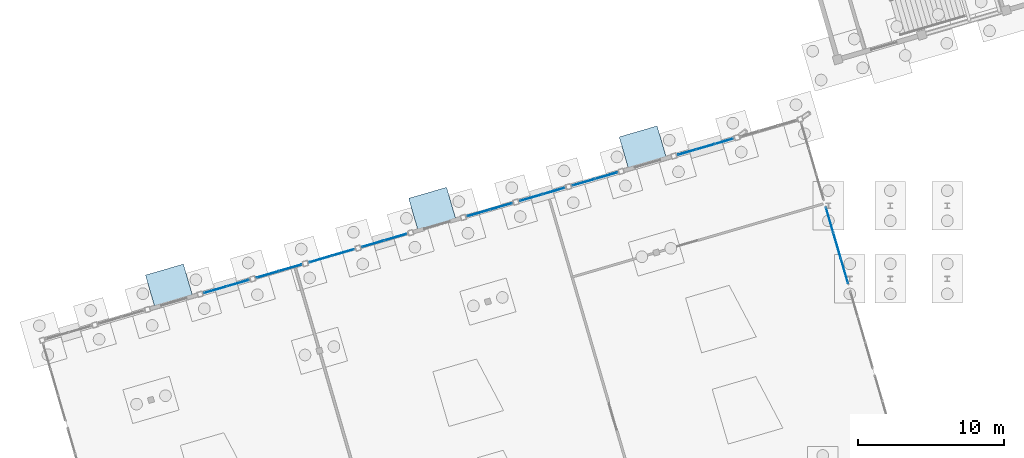
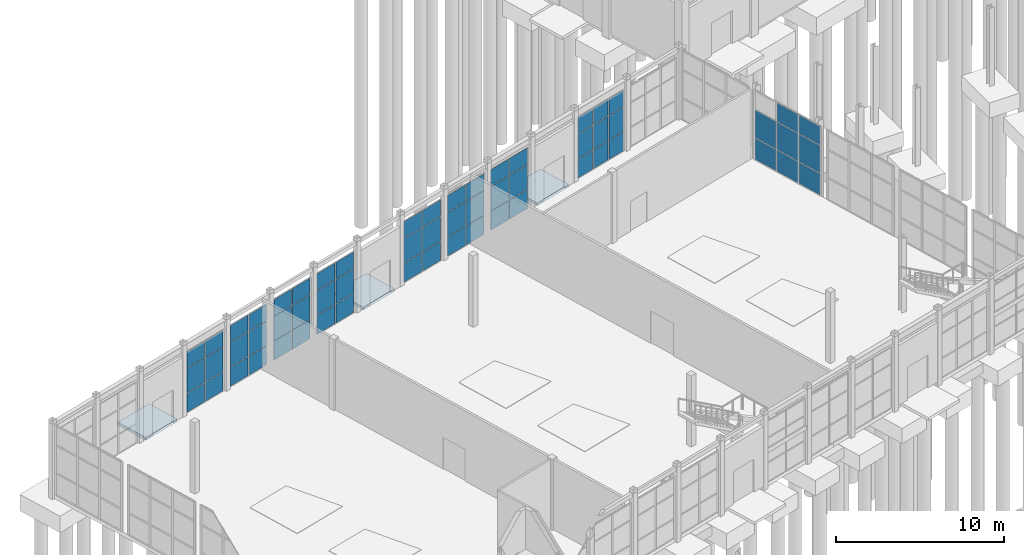
# One storey, part 66 of 90: 59 plates, 3 slabs, 9 elements without a shape of their own.
"""IFC4 building model written with IfcOpenShell, lengths in metres."""

import ifcopenshell
import ifcopenshell.guid

model = None  # the IFC model being written
_history = None  # IfcOwnerHistory: only IFC2X3 demands one
_inside = {}  # id of a spatial element -> (the spatial element, [elements in it])
_under = {}  # id of a project, library or spatial element -> (it, [spatial elements below it])
_declared = {}  # id of a project -> (the project, [libraries it declares])
_typed = {}  # id of a type object -> (the type object, [elements of that type])
_made_of = {}  # id of a material, layer set ... -> (it, [elements and type objects made of it])


def new_model(schema):
    """Start an empty IFC model of exactly this schema.

    Asked for "IFC4X3", IfcOpenShell would pick the latest addendum, in which some entities
    have other attributes; the version numbers below select the first issue.
    IFC2X3 requires an IfcOwnerHistory on every rooted entity: one is made here for all.
    """
    global model, _history
    if schema == "IFC4X3":
        model = ifcopenshell.file(schema_version=(4, 3, 0, 0))
    else:
        model = ifcopenshell.file(schema=schema)
    _inside.clear()
    _under.clear()
    _declared.clear()
    _typed.clear()
    _made_of.clear()
    _history = None
    if model.schema == "IFC2X3":
        org = make("IfcOrganization", Name="unknown")
        user = make(
            "IfcPersonAndOrganization",
            ThePerson=make("IfcPerson", FamilyName="unknown"),
            TheOrganization=org,
        )
        app = make(
            "IfcApplication",
            ApplicationDeveloper=org,
            Version="unknown",
            ApplicationFullName="unknown",
            ApplicationIdentifier="unknown",
        )
        _history = make(
            "IfcOwnerHistory",
            OwningUser=user,
            OwningApplication=app,
            ChangeAction="ADDED",
            CreationDate=0,
        )
    return model


def make(cls, **values):
    """One entity of the class cls with the attributes given. An attribute that is None is left unset."""
    return model.create_entity(
        cls, **{name: value for name, value in values.items() if value is not None}
    )


def rooted(cls, **values):
    """An entity with a GlobalId (a new one), such as an element, a storey or a relation."""
    return make(cls, GlobalId=ifcopenshell.guid.new(), OwnerHistory=_history, **values)


def si_unit(unit_type, name, prefix=None):
    """IfcSIUnit, for example si_unit("LENGTHUNIT", "METRE", prefix="MILLI")."""
    return make("IfcSIUnit", UnitType=unit_type, Prefix=prefix, Name=name)


def assignment(units):
    """IfcUnitAssignment: the units of a project."""
    return None if units is None else make("IfcUnitAssignment", Units=units)


def point(xyz):
    """IfcCartesianPoint."""
    return None if xyz is None else make("IfcCartesianPoint", Coordinates=xyz)


def direction(xyz):
    """IfcDirection."""
    return None if xyz is None else make("IfcDirection", DirectionRatios=xyz)


def frame(location, z_axis=None, x_axis=None):
    """IfcAxis2Placement3D, a coordinate frame: its origin and axes. An axis left out is left unset."""
    return make(
        "IfcAxis2Placement3D",
        Location=point(location),
        Axis=direction(z_axis),
        RefDirection=direction(x_axis),
    )


def frame_2d(location, x_axis=None):
    """IfcAxis2Placement2D, a coordinate frame in the plane: its origin and x axis."""
    return make(
        "IfcAxis2Placement2D", Location=point(location), RefDirection=direction(x_axis)
    )


def origin():
    """The frame at (0, 0, 0) with its axes left unset."""
    return frame((0.0, 0.0, 0.0))


def origin_2d():
    """The frame at (0, 0) in the plane with its x axis left unset."""
    return frame_2d((0.0, 0.0))


def place(relative_to, where):
    """IfcLocalPlacement: puts the frame where relative to a parent placement (None: the world)."""
    return make(
        "IfcLocalPlacement", PlacementRelTo=relative_to, RelativePlacement=where
    )


def context(
    kind, dimensions, precision=None, world=None, true_north=None, identifier=None
):
    """IfcGeometricRepresentationContext, for example the 3D "Model" context."""
    return make(
        "IfcGeometricRepresentationContext",
        ContextIdentifier=identifier,
        ContextType=kind,
        CoordinateSpaceDimension=dimensions,
        Precision=precision,
        WorldCoordinateSystem=world,
        TrueNorth=true_north,
    )


def subcontext(parent, identifier, kind, view, scale=None):
    """IfcGeometricRepresentationSubContext, for example "Body" below "Model"."""
    return make(
        "IfcGeometricRepresentationSubContext",
        ContextIdentifier=identifier,
        ContextType=kind,
        ParentContext=parent,
        TargetScale=scale,
        TargetView=view,
    )


def project(units=None, contexts=None):
    """IfcProject with its units and contexts."""
    return rooted(
        "IfcProject",
        Name="project",
        RepresentationContexts=contexts,
        UnitsInContext=assignment(units),
    )


def spatial(cls, under=None, at=None, **own):
    """A site, building, storey or space (cls), placed at a placement, below another one or the project."""
    s = rooted(cls, ObjectPlacement=at, **own)
    if under is not None:
        _under.setdefault(under.id(), (under, []))[1].append(s)
    return s


def polyline(points):
    """IfcPolyline through the points."""
    return make("IfcPolyline", Points=[point(p) for p in points])


def profile(cls, at=None, kind="AREA", **sizes):
    """A parametric profile (cls). Its sizes go by their IFC names, for example OverallWidth=200.0."""
    return make(cls, ProfileType=kind, Position=at, **sizes)


def rectangle(**sizes):
    """IfcRectangleProfileDef."""
    return profile("IfcRectangleProfileDef", **sizes)


def outline(outer, holes=None, kind="AREA"):
    """IfcArbitraryClosedProfileDef: a profile drawn as a closed curve; with holes, ...WithVoids."""
    if holes is None:
        return make("IfcArbitraryClosedProfileDef", ProfileType=kind, OuterCurve=outer)
    return make(
        "IfcArbitraryProfileDefWithVoids",
        ProfileType=kind,
        OuterCurve=outer,
        InnerCurves=holes,
    )


def extrude(swept, where, along, depth):
    """IfcExtrudedAreaSolid: the profile swept, set in the frame where, extruded along a direction by depth."""
    return make(
        "IfcExtrudedAreaSolid",
        SweptArea=swept,
        Position=where,
        ExtrudedDirection=direction(along),
        Depth=depth,
    )


def shape(context_of_items, identifier, shape_type, items):
    """IfcShapeRepresentation: the items that make up one representation, for example the "Body"."""
    return make(
        "IfcShapeRepresentation",
        ContextOfItems=context_of_items,
        RepresentationIdentifier=identifier,
        RepresentationType=shape_type,
        Items=items,
    )


def material(Name=None, Category=None):
    """IfcMaterial."""
    return make("IfcMaterial", Name=Name, Category=Category)


def layer(
    of_material, thickness, ventilated=None, Name=None, Category=None, Priority=None
):
    """IfcMaterialLayer: one layer of a wall or slab, of a material (None: an air gap)."""
    return make(
        "IfcMaterialLayer",
        Material=of_material,
        LayerThickness=thickness,
        IsVentilated=ventilated,
        Name=Name,
        Category=Category,
        Priority=Priority,
    )


def layer_set(layers, Name=None):
    """IfcMaterialLayerSet."""
    return make("IfcMaterialLayerSet", MaterialLayers=layers, LayerSetName=Name)


def made_of(thing, what):
    """Note that an element or type object is made of a material, layer set ...; save() writes the relation."""
    if what is not None:
        _made_of.setdefault(what.id(), (what, []))[1].append(thing)
    return thing


def type_object(cls, material=None, **own):
    """A type object (cls), such as IfcWallType, which elements share."""
    return made_of(rooted(cls, **own), material)


def element(
    cls,
    number,
    at=None,
    inside=None,
    cuts=None,
    type_object=None,
    material=None,
    context=None,
    identifier="Body",
    shape_type=None,
    held_by="IfcProductDefinitionShape",
    body=None,
    shapes=None,
    **own,
):
    """One element of the class cls, such as IfcWall. Its Tag is "e" and its number.

    at: its placement. inside: the storey or other place that contains it. cuts: it is an
    opening in that element (IfcRelVoidsElement). A single representation is given by context,
    identifier, shape_type and body (its items); several are given by shapes. held_by: the class
    of the entity that holds the representations. save() writes the other relations.
    """
    e = rooted(cls, Tag="e%d" % number, ObjectPlacement=at, **own)
    if body is not None:
        shapes = [shape(context, identifier, shape_type, body)]
    if shapes is not None:
        e.Representation = make(held_by, Representations=shapes)
    if inside is not None:
        _inside.setdefault(inside.id(), (inside, []))[1].append(e)
    if cuts is not None:
        rooted(
            "IfcRelVoidsElement", RelatingBuildingElement=cuts, RelatedOpeningElement=e
        )
    if type_object is not None:
        _typed.setdefault(type_object.id(), (type_object, []))[1].append(e)
    return made_of(e, material)


def aggregate(whole, parts):
    """IfcRelAggregates: a whole, such as a stair, and the parts it consists of."""
    return rooted("IfcRelAggregates", RelatingObject=whole, RelatedObjects=parts)


def save(model, path):
    """Write the relations noted so far, then the file.

    IfcRelAggregates (storeys below a building ...), IfcRelContainedInSpatialStructure (elements
    in a storey), IfcRelDefinesByType, IfcRelAssociatesMaterial and IfcRelDeclares: one each for
    every whole, place, type object, material and project.
    """
    for whole, parts in _under.values():
        aggregate(whole, parts)
    for where, things in _inside.values():
        rooted(
            "IfcRelContainedInSpatialStructure",
            RelatedElements=things,
            RelatingStructure=where,
        )
    for kind, things in _typed.values():
        rooted("IfcRelDefinesByType", RelatedObjects=things, RelatingType=kind)
    for what, things in _made_of.values():
        rooted("IfcRelAssociatesMaterial", RelatedObjects=things, RelatingMaterial=what)
    for by, libraries in _declared.values():
        rooted("IfcRelDeclares", RelatingContext=by, RelatedDefinitions=libraries)
    model.write(path)


model = new_model("IFC4")

# Units and contexts
model_context = context("Model", 3, precision=1e-05, world=origin(), true_north=direction((0.0, 1.0)))
body_context = subcontext(model_context, "Body", "Model", "MODEL_VIEW")
ifc_project = project(units=[si_unit("LENGTHUNIT", "METRE"), si_unit("AREAUNIT", "SQUARE_METRE"), si_unit("VOLUMEUNIT", "CUBIC_METRE"), si_unit("PLANEANGLEUNIT", "RADIAN"), si_unit("MASSUNIT", "GRAM", prefix="KILO")], contexts=[model_context])

# Site, building, storey
site_placement = place(None, origin())
site = spatial("IfcSite", under=ifc_project, at=site_placement, CompositionType="ELEMENT")
building_placement = place(site_placement, origin())
building = spatial("IfcBuilding", under=site, at=building_placement, Name="Canggui Botanical Conservatory", CompositionType="ELEMENT")
storey_placement = place(building_placement, origin())
storey = spatial("IfcBuildingStorey", under=building, at=storey_placement, Name="L01", CompositionType="ELEMENT", Elevation=0.0)

# Curtain wall, plates
ifc_material_1 = material(Name="Thermally Broken Aluminium", Category="aluminium")
ifc_layer_1 = layer(ifc_material_1, 0.14990234375, Name="Thermally Broken Aluminium", Category="aluminium")
ifc_layer_set_1 = layer_set([ifc_layer_1], Name="Thermally Broken Aluminium")
curtain_wall_type_1 = type_object("IfcCurtainWallType", Name="CW-UNIT-C", PredefinedType="USERDEFINED", material=ifc_layer_set_1)
curtain_wall_1_placement = place(storey_placement, origin())
curtain_wall_1 = element("IfcCurtainWall", 1, at=curtain_wall_1_placement, inside=storey, type_object=curtain_wall_type_1, Name="Facade Curtain Wall CW-CONS-GABLE-N-04", ObjectType="UNITISED CURTAIN WALL", PredefinedType="USERDEFINED")
ifc_material_2 = material(Name="Low-E Insulated Glass", Category="glass")
ifc_layer_2 = layer(ifc_material_2, 0.033935546875, Name="Low-E Insulated Glass", Category="glass")
ifc_layer_set_2 = layer_set([ifc_layer_2], Name="Low-E Insulated Glass")
plate_type_1 = type_object("IfcPlateType", Name="CWP-03", PredefinedType="CURTAIN_PANEL", material=ifc_layer_set_2)
plate_1_placement = place(storey_placement, frame((66.46923828125, 75.534423828125, 0.05517578125), z_axis=(0.0, 0.0, 1.0), x_axis=(-0.279999999995, 0.960000000002, 0.0)))
plate_1 = element("IfcPlate", 2, at=plate_1_placement, type_object=plate_type_1, Name="CW-03 panel 1.1", PredefinedType="CURTAIN_PANEL", context=body_context, shape_type="SweptSolid", body=[
    extrude(rectangle(XDim=1.743408203125, YDim=0.033935546875, at=origin_2d()), origin(), (0.0, 0.0, 1.0), 1.549560546875),
])
plate_2_placement = place(storey_placement, frame((66.46923828125, 75.534423828125, 1.65966796875), z_axis=(0.0, 0.0, 1.0), x_axis=(-0.279999999995, 0.960000000002, 0.0)))
plate_2 = element("IfcPlate", 3, at=plate_2_placement, type_object=plate_type_1, Name="CW-03 panel 1.2", PredefinedType="CURTAIN_PANEL", context=body_context, shape_type="SweptSolid", body=[
    extrude(rectangle(XDim=1.743408203125, YDim=0.033935546875, at=origin_2d()), origin(), (0.0, 0.0, 1.0), 1.985107421875),
])
plate_3_placement = place(storey_placement, frame((66.46923828125, 75.534423828125, 3.69970703125), z_axis=(0.0, 0.0, 1.0), x_axis=(-0.279999999995, 0.960000000002, 0.0)))
plate_3 = element("IfcPlate", 4, at=plate_3_placement, type_object=plate_type_1, Name="CW-03 panel 1.3", PredefinedType="CURTAIN_PANEL", context=body_context, shape_type="SweptSolid", body=[
    extrude(rectangle(XDim=1.743408203125, YDim=0.033935546875, at=origin_2d()), origin(), (0.0, 0.0, 1.0), 1.345458984375),
])
plate_4_placement = place(storey_placement, frame((65.9599609375, 77.280029296875, 0.05517578125), z_axis=(0.0, 0.0, 1.0), x_axis=(-0.279999999995, 0.960000000002, 0.0)))
plate_4 = element("IfcPlate", 5, at=plate_4_placement, type_object=plate_type_1, Name="CW-03 panel 2.1", PredefinedType="CURTAIN_PANEL", context=body_context, shape_type="SweptSolid", body=[
    extrude(rectangle(XDim=1.7734375, YDim=0.033935546875, at=origin_2d()), origin(), (0.0, 0.0, 1.0), 1.549560546875),
])
plate_5_placement = place(storey_placement, frame((65.9599609375, 77.280029296875, 1.65966796875), z_axis=(0.0, 0.0, 1.0), x_axis=(-0.279999999995, 0.960000000002, 0.0)))
plate_5 = element("IfcPlate", 6, at=plate_5_placement, type_object=plate_type_1, Name="CW-03 panel 2.2", PredefinedType="CURTAIN_PANEL", context=body_context, shape_type="SweptSolid", body=[
    extrude(rectangle(XDim=1.7734375, YDim=0.033935546875, at=origin_2d()), origin(), (0.0, 0.0, 1.0), 1.985107421875),
])
plate_6_placement = place(storey_placement, frame((65.9599609375, 77.280029296875, 3.69970703125), z_axis=(0.0, 0.0, 1.0), x_axis=(-0.279999999995, 0.960000000002, 0.0)))
plate_6 = element("IfcPlate", 7, at=plate_6_placement, type_object=plate_type_1, Name="CW-03 panel 2.3", PredefinedType="CURTAIN_PANEL", context=body_context, shape_type="SweptSolid", body=[
    extrude(rectangle(XDim=1.7734375, YDim=0.033935546875, at=origin_2d()), origin(), (0.0, 0.0, 1.0), 1.345458984375),
])
plate_7_placement = place(storey_placement, frame((65.450927734375, 79.025634765625, 0.05517578125), z_axis=(0.0, 0.0, 1.0), x_axis=(-0.279999999995, 0.960000000002, 0.0)))
plate_7 = element("IfcPlate", 8, at=plate_7_placement, type_object=plate_type_1, Name="CW-03 panel 3.1", PredefinedType="CURTAIN_PANEL", context=body_context, shape_type="SweptSolid", body=[
    extrude(rectangle(XDim=1.743408203125, YDim=0.033935546875, at=origin_2d()), origin(), (0.0, 0.0, 1.0), 1.549560546875),
])
plate_8_placement = place(storey_placement, frame((65.450927734375, 79.025634765625, 1.65966796875), z_axis=(0.0, 0.0, 1.0), x_axis=(-0.279999999995, 0.960000000002, 0.0)))
plate_8 = element("IfcPlate", 9, at=plate_8_placement, type_object=plate_type_1, Name="CW-03 panel 3.2", PredefinedType="CURTAIN_PANEL", context=body_context, shape_type="SweptSolid", body=[
    extrude(rectangle(XDim=1.743408203125, YDim=0.033935546875, at=origin_2d()), origin(), (0.0, 0.0, 1.0), 1.985107421875),
])
aggregate(curtain_wall_1, [plate_1, plate_2, plate_3, plate_4, plate_5, plate_6, plate_7, plate_8])

ifc_layer_3 = layer(ifc_material_1, 0.1201171875, Name="Thermally Broken Aluminium", Category="aluminium")
ifc_layer_set_3 = layer_set([ifc_layer_3], Name="Thermally Broken Aluminium")
curtain_wall_type_2 = type_object("IfcCurtainWallType", Name="CW-STICK-B", PredefinedType="USERDEFINED", material=ifc_layer_set_3)
curtain_wall_2_placement = place(storey_placement, origin())
curtain_wall_2 = element("IfcCurtainWall", 10, at=curtain_wall_2_placement, inside=storey, type_object=curtain_wall_type_2, Name="Facade Curtain Wall CW-CONS-L01-V1-04", ObjectType="STICK GLAZED WALL", PredefinedType="USERDEFINED")
ifc_layer_4 = layer(ifc_material_2, 0.0419921875, Name="Low-E Insulated Glass", Category="glass")
ifc_layer_set_4 = layer_set([ifc_layer_4], Name="Low-E Insulated Glass")
plate_type_2 = type_object("IfcPlateType", Name="CWP-05", PredefinedType="CURTAIN_PANEL", material=ifc_layer_set_4)
plate_9_placement = place(storey_placement, frame((23.43310546875, 74.25146484375, 0.044921875), z_axis=(0.0, 0.0, 1.0), x_axis=(0.960000000002, 0.279999999995, 0.0)))
plate_9 = element("IfcPlate", 11, at=plate_9_placement, type_object=plate_type_2, Name="CW-05 panel 1.1", PredefinedType="CURTAIN_PANEL", context=body_context, shape_type="SweptSolid", body=[
    extrude(rectangle(XDim=1.54248046875, YDim=0.0419921875, at=origin_2d()), origin(), (0.0, 0.0, 1.0), 1.37255859375),
])
plate_10_placement = place(storey_placement, frame((23.43310546875, 74.25146484375, 1.462646484375), z_axis=(0.0, 0.0, 1.0), x_axis=(0.960000000002, 0.279999999995, 0.0)))
plate_10 = element("IfcPlate", 12, at=plate_10_placement, type_object=plate_type_2, Name="CW-05 panel 1.2", PredefinedType="CURTAIN_PANEL", context=body_context, shape_type="SweptSolid", body=[
    extrude(rectangle(XDim=1.54248046875, YDim=0.0419921875, at=origin_2d()), origin(), (0.0, 0.0, 1.0), 1.7548828125),
])
plate_11_placement = place(storey_placement, frame((23.43310546875, 74.25146484375, 3.262451171875), z_axis=(0.0, 0.0, 1.0), x_axis=(0.960000000002, 0.279999999995, 0.0)))
plate_11 = element("IfcPlate", 13, at=plate_11_placement, type_object=plate_type_2, Name="CW-05 panel 1.3", PredefinedType="CURTAIN_PANEL", context=body_context, shape_type="SweptSolid", body=[
    extrude(rectangle(XDim=1.54248046875, YDim=0.0419921875, at=origin_2d()), origin(), (0.0, 0.0, 1.0), 1.1923828125),
])
plate_12_placement = place(storey_placement, frame((24.966796875, 74.69873046875, 0.044921875), z_axis=(0.0, 0.0, 1.0), x_axis=(0.960000000002, 0.279999999995, 0.0)))
plate_12 = element("IfcPlate", 14, at=plate_12_placement, type_object=plate_type_2, Name="CW-05 panel 2.1", PredefinedType="CURTAIN_PANEL", context=body_context, shape_type="SweptSolid", body=[
    extrude(rectangle(XDim=1.54248046875, YDim=0.0419921875, at=origin_2d()), origin(), (0.0, 0.0, 1.0), 1.37255859375),
])
plate_13_placement = place(storey_placement, frame((24.966796875, 74.69873046875, 1.462646484375), z_axis=(0.0, 0.0, 1.0), x_axis=(0.960000000002, 0.279999999995, 0.0)))
plate_13 = element("IfcPlate", 15, at=plate_13_placement, type_object=plate_type_2, Name="CW-05 panel 2.2", PredefinedType="CURTAIN_PANEL", context=body_context, shape_type="SweptSolid", body=[
    extrude(rectangle(XDim=1.54248046875, YDim=0.0419921875, at=origin_2d()), origin(), (0.0, 0.0, 1.0), 1.7548828125),
])
plate_14_placement = place(storey_placement, frame((24.966796875, 74.69873046875, 3.262451171875), z_axis=(0.0, 0.0, 1.0), x_axis=(0.960000000002, 0.279999999995, 0.0)))
plate_14 = element("IfcPlate", 16, at=plate_14_placement, type_object=plate_type_2, Name="CW-05 panel 2.3", PredefinedType="CURTAIN_PANEL", context=body_context, shape_type="SweptSolid", body=[
    extrude(rectangle(XDim=1.54248046875, YDim=0.0419921875, at=origin_2d()), origin(), (0.0, 0.0, 1.0), 1.1923828125),
])
aggregate(curtain_wall_2, [plate_9, plate_10, plate_11, plate_12, plate_13, plate_14])

curtain_wall_3_placement = place(storey_placement, origin())
curtain_wall_3 = element("IfcCurtainWall", 17, at=curtain_wall_3_placement, inside=storey, type_object=curtain_wall_type_2, Name="Facade Curtain Wall CW-CONS-L01-V1-05", ObjectType="STICK GLAZED WALL", PredefinedType="USERDEFINED")
plate_15_placement = place(storey_placement, frame((27.033203125, 75.30126953125, 0.044921875), z_axis=(0.0, 0.0, 1.0), x_axis=(0.960000000002, 0.279999999995, 0.0)))
plate_15 = element("IfcPlate", 18, at=plate_15_placement, type_object=plate_type_2, Name="CW-05 panel 1.1", PredefinedType="CURTAIN_PANEL", context=body_context, shape_type="SweptSolid", body=[
    extrude(rectangle(XDim=1.54248046875, YDim=0.0419921875, at=origin_2d()), origin(), (0.0, 0.0, 1.0), 1.37255859375),
])
plate_16_placement = place(storey_placement, frame((27.033203125, 75.30126953125, 1.462646484375), z_axis=(0.0, 0.0, 1.0), x_axis=(0.960000000002, 0.279999999995, 0.0)))
plate_16 = element("IfcPlate", 19, at=plate_16_placement, type_object=plate_type_2, Name="CW-05 panel 1.2", PredefinedType="CURTAIN_PANEL", context=body_context, shape_type="SweptSolid", body=[
    extrude(rectangle(XDim=1.54248046875, YDim=0.0419921875, at=origin_2d()), origin(), (0.0, 0.0, 1.0), 1.7548828125),
])
plate_17_placement = place(storey_placement, frame((27.033203125, 75.30126953125, 3.262451171875), z_axis=(0.0, 0.0, 1.0), x_axis=(0.960000000002, 0.279999999995, 0.0)))
plate_17 = element("IfcPlate", 20, at=plate_17_placement, type_object=plate_type_2, Name="CW-05 panel 1.3", PredefinedType="CURTAIN_PANEL", context=body_context, shape_type="SweptSolid", body=[
    extrude(rectangle(XDim=1.54248046875, YDim=0.0419921875, at=origin_2d()), origin(), (0.0, 0.0, 1.0), 1.1923828125),
])
plate_18_placement = place(storey_placement, frame((28.56689453125, 75.74853515625, 0.044921875), z_axis=(0.0, 0.0, 1.0), x_axis=(0.960000000002, 0.279999999995, 0.0)))
plate_18 = element("IfcPlate", 21, at=plate_18_placement, type_object=plate_type_2, Name="CW-05 panel 2.1", PredefinedType="CURTAIN_PANEL", context=body_context, shape_type="SweptSolid", body=[
    extrude(rectangle(XDim=1.54248046875, YDim=0.0419921875, at=origin_2d()), origin(), (0.0, 0.0, 1.0), 1.37255859375),
])
plate_19_placement = place(storey_placement, frame((28.56689453125, 75.74853515625, 1.462646484375), z_axis=(0.0, 0.0, 1.0), x_axis=(0.960000000002, 0.279999999995, 0.0)))
plate_19 = element("IfcPlate", 22, at=plate_19_placement, type_object=plate_type_2, Name="CW-05 panel 2.2", PredefinedType="CURTAIN_PANEL", context=body_context, shape_type="SweptSolid", body=[
    extrude(rectangle(XDim=1.54248046875, YDim=0.0419921875, at=origin_2d()), origin(), (0.0, 0.0, 1.0), 1.7548828125),
])
plate_20_placement = place(storey_placement, frame((28.56689453125, 75.74853515625, 3.262451171875), z_axis=(0.0, 0.0, 1.0), x_axis=(0.960000000002, 0.279999999995, 0.0)))
plate_20 = element("IfcPlate", 23, at=plate_20_placement, type_object=plate_type_2, Name="CW-05 panel 2.3", PredefinedType="CURTAIN_PANEL", context=body_context, shape_type="SweptSolid", body=[
    extrude(rectangle(XDim=1.54248046875, YDim=0.0419921875, at=origin_2d()), origin(), (0.0, 0.0, 1.0), 1.1923828125),
])
aggregate(curtain_wall_3, [plate_15, plate_16, plate_17, plate_18, plate_19, plate_20])

curtain_wall_4_placement = place(storey_placement, origin())
curtain_wall_4 = element("IfcCurtainWall", 24, at=curtain_wall_4_placement, inside=storey, type_object=curtain_wall_type_2, Name="Facade Curtain Wall CW-CONS-L01-V1-06", ObjectType="STICK GLAZED WALL", PredefinedType="USERDEFINED")
plate_21_placement = place(storey_placement, frame((30.63330078125, 76.351318359375, 0.044921875), z_axis=(0.0, 0.0, 1.0), x_axis=(0.960000000002, 0.279999999995, 0.0)))
plate_21 = element("IfcPlate", 25, at=plate_21_placement, type_object=plate_type_2, Name="CW-05 panel 1.1", PredefinedType="CURTAIN_PANEL", context=body_context, shape_type="SweptSolid", body=[
    extrude(rectangle(XDim=1.54248046875, YDim=0.0419921875, at=origin_2d()), origin(), (0.0, 0.0, 1.0), 1.37255859375),
])
plate_22_placement = place(storey_placement, frame((30.63330078125, 76.351318359375, 1.462646484375), z_axis=(0.0, 0.0, 1.0), x_axis=(0.960000000002, 0.279999999995, 0.0)))
plate_22 = element("IfcPlate", 26, at=plate_22_placement, type_object=plate_type_2, Name="CW-05 panel 1.2", PredefinedType="CURTAIN_PANEL", context=body_context, shape_type="SweptSolid", body=[
    extrude(rectangle(XDim=1.54248046875, YDim=0.0419921875, at=origin_2d()), origin(), (0.0, 0.0, 1.0), 1.7548828125),
])
plate_23_placement = place(storey_placement, frame((30.63330078125, 76.351318359375, 3.262451171875), z_axis=(0.0, 0.0, 1.0), x_axis=(0.960000000002, 0.279999999995, 0.0)))
plate_23 = element("IfcPlate", 27, at=plate_23_placement, type_object=plate_type_2, Name="CW-05 panel 1.3", PredefinedType="CURTAIN_PANEL", context=body_context, shape_type="SweptSolid", body=[
    extrude(rectangle(XDim=1.54248046875, YDim=0.0419921875, at=origin_2d()), origin(), (0.0, 0.0, 1.0), 1.1923828125),
])
plate_24_placement = place(storey_placement, frame((32.166748046875, 76.798583984375, 0.044921875), z_axis=(0.0, 0.0, 1.0), x_axis=(0.960000000002, 0.279999999995, 0.0)))
plate_24 = element("IfcPlate", 28, at=plate_24_placement, type_object=plate_type_2, Name="CW-05 panel 2.1", PredefinedType="CURTAIN_PANEL", context=body_context, shape_type="SweptSolid", body=[
    extrude(rectangle(XDim=1.54248046875, YDim=0.0419921875, at=origin_2d()), origin(), (0.0, 0.0, 1.0), 1.37255859375),
])
plate_25_placement = place(storey_placement, frame((32.166748046875, 76.798583984375, 1.462646484375), z_axis=(0.0, 0.0, 1.0), x_axis=(0.960000000002, 0.279999999995, 0.0)))
plate_25 = element("IfcPlate", 29, at=plate_25_placement, type_object=plate_type_2, Name="CW-05 panel 2.2", PredefinedType="CURTAIN_PANEL", context=body_context, shape_type="SweptSolid", body=[
    extrude(rectangle(XDim=1.54248046875, YDim=0.0419921875, at=origin_2d()), origin(), (0.0, 0.0, 1.0), 1.7548828125),
])
plate_26_placement = place(storey_placement, frame((32.166748046875, 76.798583984375, 3.262451171875), z_axis=(0.0, 0.0, 1.0), x_axis=(0.960000000002, 0.279999999995, 0.0)))
plate_26 = element("IfcPlate", 30, at=plate_26_placement, type_object=plate_type_2, Name="CW-05 panel 2.3", PredefinedType="CURTAIN_PANEL", context=body_context, shape_type="SweptSolid", body=[
    extrude(rectangle(XDim=1.54248046875, YDim=0.0419921875, at=origin_2d()), origin(), (0.0, 0.0, 1.0), 1.1923828125),
])
aggregate(curtain_wall_4, [plate_21, plate_22, plate_23, plate_24, plate_25, plate_26])

curtain_wall_5_placement = place(storey_placement, origin())
curtain_wall_5 = element("IfcCurtainWall", 31, at=curtain_wall_5_placement, inside=storey, type_object=curtain_wall_type_2, Name="Facade Curtain Wall CW-CONS-L01-V1-07", ObjectType="STICK GLAZED WALL", PredefinedType="USERDEFINED")
plate_27_placement = place(storey_placement, frame((34.233154296875, 77.4013671875, 0.044921875), z_axis=(0.0, 0.0, 1.0), x_axis=(0.960000000002, 0.279999999995, 0.0)))
plate_27 = element("IfcPlate", 32, at=plate_27_placement, type_object=plate_type_2, Name="CW-05 panel 1.1", PredefinedType="CURTAIN_PANEL", context=body_context, shape_type="SweptSolid", body=[
    extrude(rectangle(XDim=1.54248046875, YDim=0.0419921875, at=origin_2d()), origin(), (0.0, 0.0, 1.0), 1.37255859375),
])
plate_28_placement = place(storey_placement, frame((34.233154296875, 77.4013671875, 1.462646484375), z_axis=(0.0, 0.0, 1.0), x_axis=(0.960000000002, 0.279999999995, 0.0)))
plate_28 = element("IfcPlate", 33, at=plate_28_placement, type_object=plate_type_2, Name="CW-05 panel 1.2", PredefinedType="CURTAIN_PANEL", context=body_context, shape_type="SweptSolid", body=[
    extrude(rectangle(XDim=1.54248046875, YDim=0.0419921875, at=origin_2d()), origin(), (0.0, 0.0, 1.0), 1.7548828125),
])
plate_29_placement = place(storey_placement, frame((34.233154296875, 77.4013671875, 3.262451171875), z_axis=(0.0, 0.0, 1.0), x_axis=(0.960000000002, 0.279999999995, 0.0)))
plate_29 = element("IfcPlate", 34, at=plate_29_placement, type_object=plate_type_2, Name="CW-05 panel 1.3", PredefinedType="CURTAIN_PANEL", context=body_context, shape_type="SweptSolid", body=[
    extrude(rectangle(XDim=1.54248046875, YDim=0.0419921875, at=origin_2d()), origin(), (0.0, 0.0, 1.0), 1.1923828125),
])
plate_30_placement = place(storey_placement, frame((35.766845703125, 77.8486328125, 0.044921875), z_axis=(0.0, 0.0, 1.0), x_axis=(0.960000000002, 0.279999999995, 0.0)))
plate_30 = element("IfcPlate", 35, at=plate_30_placement, type_object=plate_type_2, Name="CW-05 panel 2.1", PredefinedType="CURTAIN_PANEL", context=body_context, shape_type="SweptSolid", body=[
    extrude(rectangle(XDim=1.54248046875, YDim=0.0419921875, at=origin_2d()), origin(), (0.0, 0.0, 1.0), 1.37255859375),
])
plate_31_placement = place(storey_placement, frame((35.766845703125, 77.8486328125, 1.462646484375), z_axis=(0.0, 0.0, 1.0), x_axis=(0.960000000002, 0.279999999995, 0.0)))
plate_31 = element("IfcPlate", 36, at=plate_31_placement, type_object=plate_type_2, Name="CW-05 panel 2.2", PredefinedType="CURTAIN_PANEL", context=body_context, shape_type="SweptSolid", body=[
    extrude(rectangle(XDim=1.54248046875, YDim=0.0419921875, at=origin_2d()), origin(), (0.0, 0.0, 1.0), 1.7548828125),
])
plate_32_placement = place(storey_placement, frame((35.766845703125, 77.8486328125, 3.262451171875), z_axis=(0.0, 0.0, 1.0), x_axis=(0.960000000002, 0.279999999995, 0.0)))
plate_32 = element("IfcPlate", 37, at=plate_32_placement, type_object=plate_type_2, Name="CW-05 panel 2.3", PredefinedType="CURTAIN_PANEL", context=body_context, shape_type="SweptSolid", body=[
    extrude(rectangle(XDim=1.54248046875, YDim=0.0419921875, at=origin_2d()), origin(), (0.0, 0.0, 1.0), 1.1923828125),
])
aggregate(curtain_wall_5, [plate_27, plate_28, plate_29, plate_30, plate_31, plate_32])

curtain_wall_6_placement = place(storey_placement, origin())
curtain_wall_6 = element("IfcCurtainWall", 38, at=curtain_wall_6_placement, inside=storey, type_object=curtain_wall_type_2, Name="Facade Curtain Wall CW-CONS-L01-V1-09", ObjectType="STICK GLAZED WALL", PredefinedType="USERDEFINED")
plate_33_placement = place(storey_placement, frame((41.43310546875, 79.50146484375, 0.044921875), z_axis=(0.0, 0.0, 1.0), x_axis=(0.960000000002, 0.279999999995, 0.0)))
plate_33 = element("IfcPlate", 39, at=plate_33_placement, type_object=plate_type_2, Name="CW-05 panel 1.1", PredefinedType="CURTAIN_PANEL", context=body_context, shape_type="SweptSolid", body=[
    extrude(rectangle(XDim=1.54248046875, YDim=0.0419921875, at=origin_2d()), origin(), (0.0, 0.0, 1.0), 1.37255859375),
])
plate_34_placement = place(storey_placement, frame((41.43310546875, 79.50146484375, 1.462646484375), z_axis=(0.0, 0.0, 1.0), x_axis=(0.960000000002, 0.279999999995, 0.0)))
plate_34 = element("IfcPlate", 40, at=plate_34_placement, type_object=plate_type_2, Name="CW-05 panel 1.2", PredefinedType="CURTAIN_PANEL", context=body_context, shape_type="SweptSolid", body=[
    extrude(rectangle(XDim=1.54248046875, YDim=0.0419921875, at=origin_2d()), origin(), (0.0, 0.0, 1.0), 1.7548828125),
])
plate_35_placement = place(storey_placement, frame((41.43310546875, 79.50146484375, 3.262451171875), z_axis=(0.0, 0.0, 1.0), x_axis=(0.960000000002, 0.279999999995, 0.0)))
plate_35 = element("IfcPlate", 41, at=plate_35_placement, type_object=plate_type_2, Name="CW-05 panel 1.3", PredefinedType="CURTAIN_PANEL", context=body_context, shape_type="SweptSolid", body=[
    extrude(rectangle(XDim=1.54248046875, YDim=0.0419921875, at=origin_2d()), origin(), (0.0, 0.0, 1.0), 1.1923828125),
])
plate_36_placement = place(storey_placement, frame((42.966796875, 79.94873046875, 0.044921875), z_axis=(0.0, 0.0, 1.0), x_axis=(0.960000000002, 0.279999999995, 0.0)))
plate_36 = element("IfcPlate", 42, at=plate_36_placement, type_object=plate_type_2, Name="CW-05 panel 2.1", PredefinedType="CURTAIN_PANEL", context=body_context, shape_type="SweptSolid", body=[
    extrude(rectangle(XDim=1.54248046875, YDim=0.0419921875, at=origin_2d()), origin(), (0.0, 0.0, 1.0), 1.37255859375),
])
plate_37_placement = place(storey_placement, frame((42.966796875, 79.94873046875, 1.462646484375), z_axis=(0.0, 0.0, 1.0), x_axis=(0.960000000002, 0.279999999995, 0.0)))
plate_37 = element("IfcPlate", 43, at=plate_37_placement, type_object=plate_type_2, Name="CW-05 panel 2.2", PredefinedType="CURTAIN_PANEL", context=body_context, shape_type="SweptSolid", body=[
    extrude(rectangle(XDim=1.54248046875, YDim=0.0419921875, at=origin_2d()), origin(), (0.0, 0.0, 1.0), 1.7548828125),
])
plate_38_placement = place(storey_placement, frame((42.966796875, 79.94873046875, 3.262451171875), z_axis=(0.0, 0.0, 1.0), x_axis=(0.960000000002, 0.279999999995, 0.0)))
plate_38 = element("IfcPlate", 44, at=plate_38_placement, type_object=plate_type_2, Name="CW-05 panel 2.3", PredefinedType="CURTAIN_PANEL", context=body_context, shape_type="SweptSolid", body=[
    extrude(rectangle(XDim=1.54248046875, YDim=0.0419921875, at=origin_2d()), origin(), (0.0, 0.0, 1.0), 1.1923828125),
])
aggregate(curtain_wall_6, [plate_33, plate_34, plate_35, plate_36, plate_37, plate_38])

curtain_wall_7_placement = place(storey_placement, origin())
curtain_wall_7 = element("IfcCurtainWall", 45, at=curtain_wall_7_placement, inside=storey, type_object=curtain_wall_type_2, Name="Facade Curtain Wall CW-CONS-L01-V1-10", ObjectType="STICK GLAZED WALL", PredefinedType="USERDEFINED")
plate_39_placement = place(storey_placement, frame((45.033203125, 80.55126953125, 0.044921875), z_axis=(0.0, 0.0, 1.0), x_axis=(0.960000000002, 0.279999999995, 0.0)))
plate_39 = element("IfcPlate", 46, at=plate_39_placement, type_object=plate_type_2, Name="CW-05 panel 1.1", PredefinedType="CURTAIN_PANEL", context=body_context, shape_type="SweptSolid", body=[
    extrude(rectangle(XDim=1.54248046875, YDim=0.0419921875, at=origin_2d()), origin(), (0.0, 0.0, 1.0), 1.37255859375),
])
plate_40_placement = place(storey_placement, frame((45.033203125, 80.55126953125, 1.462646484375), z_axis=(0.0, 0.0, 1.0), x_axis=(0.960000000002, 0.279999999995, 0.0)))
plate_40 = element("IfcPlate", 47, at=plate_40_placement, type_object=plate_type_2, Name="CW-05 panel 1.2", PredefinedType="CURTAIN_PANEL", context=body_context, shape_type="SweptSolid", body=[
    extrude(rectangle(XDim=1.54248046875, YDim=0.0419921875, at=origin_2d()), origin(), (0.0, 0.0, 1.0), 1.7548828125),
])
plate_41_placement = place(storey_placement, frame((45.033203125, 80.55126953125, 3.262451171875), z_axis=(0.0, 0.0, 1.0), x_axis=(0.960000000002, 0.279999999995, 0.0)))
plate_41 = element("IfcPlate", 48, at=plate_41_placement, type_object=plate_type_2, Name="CW-05 panel 1.3", PredefinedType="CURTAIN_PANEL", context=body_context, shape_type="SweptSolid", body=[
    extrude(rectangle(XDim=1.54248046875, YDim=0.0419921875, at=origin_2d()), origin(), (0.0, 0.0, 1.0), 1.1923828125),
])
plate_42_placement = place(storey_placement, frame((46.56689453125, 80.99853515625, 0.044921875), z_axis=(0.0, 0.0, 1.0), x_axis=(0.960000000002, 0.279999999995, 0.0)))
plate_42 = element("IfcPlate", 49, at=plate_42_placement, type_object=plate_type_2, Name="CW-05 panel 2.1", PredefinedType="CURTAIN_PANEL", context=body_context, shape_type="SweptSolid", body=[
    extrude(rectangle(XDim=1.54248046875, YDim=0.0419921875, at=origin_2d()), origin(), (0.0, 0.0, 1.0), 1.37255859375),
])
plate_43_placement = place(storey_placement, frame((46.56689453125, 80.99853515625, 1.462646484375), z_axis=(0.0, 0.0, 1.0), x_axis=(0.960000000002, 0.279999999995, 0.0)))
plate_43 = element("IfcPlate", 50, at=plate_43_placement, type_object=plate_type_2, Name="CW-05 panel 2.2", PredefinedType="CURTAIN_PANEL", context=body_context, shape_type="SweptSolid", body=[
    extrude(rectangle(XDim=1.54248046875, YDim=0.0419921875, at=origin_2d()), origin(), (0.0, 0.0, 1.0), 1.7548828125),
])
plate_44_placement = place(storey_placement, frame((46.56689453125, 80.99853515625, 3.262451171875), z_axis=(0.0, 0.0, 1.0), x_axis=(0.960000000002, 0.279999999995, 0.0)))
plate_44 = element("IfcPlate", 51, at=plate_44_placement, type_object=plate_type_2, Name="CW-05 panel 2.3", PredefinedType="CURTAIN_PANEL", context=body_context, shape_type="SweptSolid", body=[
    extrude(rectangle(XDim=1.54248046875, YDim=0.0419921875, at=origin_2d()), origin(), (0.0, 0.0, 1.0), 1.1923828125),
])
aggregate(curtain_wall_7, [plate_39, plate_40, plate_41, plate_42, plate_43, plate_44])

curtain_wall_8_placement = place(storey_placement, origin())
curtain_wall_8 = element("IfcCurtainWall", 52, at=curtain_wall_8_placement, inside=storey, type_object=curtain_wall_type_2, Name="Facade Curtain Wall CW-CONS-L01-V1-11", ObjectType="STICK GLAZED WALL", PredefinedType="USERDEFINED")
plate_45_placement = place(storey_placement, frame((48.63330078125, 81.601318359375, 0.044921875), z_axis=(0.0, 0.0, 1.0), x_axis=(0.960000000002, 0.279999999995, 0.0)))
plate_45 = element("IfcPlate", 53, at=plate_45_placement, type_object=plate_type_2, Name="CW-05 panel 1.1", PredefinedType="CURTAIN_PANEL", context=body_context, shape_type="SweptSolid", body=[
    extrude(rectangle(XDim=1.54248046875, YDim=0.0419921875, at=origin_2d()), origin(), (0.0, 0.0, 1.0), 1.37255859375),
])
plate_46_placement = place(storey_placement, frame((48.63330078125, 81.601318359375, 1.462646484375), z_axis=(0.0, 0.0, 1.0), x_axis=(0.960000000002, 0.279999999995, 0.0)))
plate_46 = element("IfcPlate", 54, at=plate_46_placement, type_object=plate_type_2, Name="CW-05 panel 1.2", PredefinedType="CURTAIN_PANEL", context=body_context, shape_type="SweptSolid", body=[
    extrude(rectangle(XDim=1.54248046875, YDim=0.0419921875, at=origin_2d()), origin(), (0.0, 0.0, 1.0), 1.7548828125),
])
plate_47_placement = place(storey_placement, frame((48.63330078125, 81.601318359375, 3.262451171875), z_axis=(0.0, 0.0, 1.0), x_axis=(0.960000000002, 0.279999999995, 0.0)))
plate_47 = element("IfcPlate", 55, at=plate_47_placement, type_object=plate_type_2, Name="CW-05 panel 1.3", PredefinedType="CURTAIN_PANEL", context=body_context, shape_type="SweptSolid", body=[
    extrude(rectangle(XDim=1.54248046875, YDim=0.0419921875, at=origin_2d()), origin(), (0.0, 0.0, 1.0), 1.1923828125),
])
plate_48_placement = place(storey_placement, frame((50.166748046875, 82.048583984375, 0.044921875), z_axis=(0.0, 0.0, 1.0), x_axis=(0.960000000002, 0.279999999995, 0.0)))
plate_48 = element("IfcPlate", 56, at=plate_48_placement, type_object=plate_type_2, Name="CW-05 panel 2.1", PredefinedType="CURTAIN_PANEL", context=body_context, shape_type="SweptSolid", body=[
    extrude(rectangle(XDim=1.54248046875, YDim=0.0419921875, at=origin_2d()), origin(), (0.0, 0.0, 1.0), 1.37255859375),
])
plate_49_placement = place(storey_placement, frame((50.166748046875, 82.048583984375, 1.462646484375), z_axis=(0.0, 0.0, 1.0), x_axis=(0.960000000002, 0.279999999995, 0.0)))
plate_49 = element("IfcPlate", 57, at=plate_49_placement, type_object=plate_type_2, Name="CW-05 panel 2.2", PredefinedType="CURTAIN_PANEL", context=body_context, shape_type="SweptSolid", body=[
    extrude(rectangle(XDim=1.54248046875, YDim=0.0419921875, at=origin_2d()), origin(), (0.0, 0.0, 1.0), 1.7548828125),
])
plate_50_placement = place(storey_placement, frame((50.166748046875, 82.048583984375, 3.262451171875), z_axis=(0.0, 0.0, 1.0), x_axis=(0.960000000002, 0.279999999995, 0.0)))
plate_50 = element("IfcPlate", 58, at=plate_50_placement, type_object=plate_type_2, Name="CW-05 panel 2.3", PredefinedType="CURTAIN_PANEL", context=body_context, shape_type="SweptSolid", body=[
    extrude(rectangle(XDim=1.54248046875, YDim=0.0419921875, at=origin_2d()), origin(), (0.0, 0.0, 1.0), 1.1923828125),
])
aggregate(curtain_wall_8, [plate_45, plate_46, plate_47, plate_48, plate_49, plate_50])

curtain_wall_9_placement = place(storey_placement, origin())
curtain_wall_9 = element("IfcCurtainWall", 59, at=curtain_wall_9_placement, inside=storey, type_object=curtain_wall_type_2, Name="Facade Curtain Wall CW-CONS-L01-V1-13", ObjectType="STICK GLAZED WALL", PredefinedType="USERDEFINED")
plate_51_placement = place(storey_placement, frame((55.693115234375, 83.660400390625, 0.044921875), z_axis=(0.0, 0.0, 1.0), x_axis=(0.960000000002, 0.279999999995, 0.0)))
plate_51 = element("IfcPlate", 60, at=plate_51_placement, type_object=plate_type_2, Name="CW-05 panel 1.1", PredefinedType="CURTAIN_PANEL", context=body_context, shape_type="SweptSolid", body=[
    extrude(rectangle(XDim=1.250732421875, YDim=0.0419921875, at=origin_2d()), origin(), (0.0, 0.0, 1.0), 1.37255859375),
])
plate_52_placement = place(storey_placement, frame((55.693115234375, 83.660400390625, 1.462646484375), z_axis=(0.0, 0.0, 1.0), x_axis=(0.960000000002, 0.279999999995, 0.0)))
plate_52 = element("IfcPlate", 61, at=plate_52_placement, type_object=plate_type_2, Name="CW-05 panel 1.2", PredefinedType="CURTAIN_PANEL", context=body_context, shape_type="SweptSolid", body=[
    extrude(rectangle(XDim=1.250732421875, YDim=0.0419921875, at=origin_2d()), origin(), (0.0, 0.0, 1.0), 1.7548828125),
])
plate_53_placement = place(storey_placement, frame((55.693115234375, 83.660400390625, 3.262451171875), z_axis=(0.0, 0.0, 1.0), x_axis=(0.960000000002, 0.279999999995, 0.0)))
plate_53 = element("IfcPlate", 62, at=plate_53_placement, type_object=plate_type_2, Name="CW-05 panel 1.3", PredefinedType="CURTAIN_PANEL", context=body_context, shape_type="SweptSolid", body=[
    extrude(rectangle(XDim=1.250732421875, YDim=0.0419921875, at=origin_2d()), origin(), (0.0, 0.0, 1.0), 1.1923828125),
])
plate_54_placement = place(storey_placement, frame((56.9599609375, 84.030029296875, 0.044921875), z_axis=(0.0, 0.0, 1.0), x_axis=(0.960000000002, 0.279999999995, 0.0)))
plate_54 = element("IfcPlate", 63, at=plate_54_placement, type_object=plate_type_2, Name="CW-05 panel 2.1", PredefinedType="CURTAIN_PANEL", context=body_context, shape_type="SweptSolid", body=[
    extrude(rectangle(XDim=1.2783203125, YDim=0.0419921875, at=origin_2d()), origin(), (0.0, 0.0, 1.0), 1.37255859375),
])
plate_55_placement = place(storey_placement, frame((56.9599609375, 84.030029296875, 1.462646484375), z_axis=(0.0, 0.0, 1.0), x_axis=(0.960000000002, 0.279999999995, 0.0)))
plate_55 = element("IfcPlate", 64, at=plate_55_placement, type_object=plate_type_2, Name="CW-05 panel 2.2", PredefinedType="CURTAIN_PANEL", context=body_context, shape_type="SweptSolid", body=[
    extrude(rectangle(XDim=1.2783203125, YDim=0.0419921875, at=origin_2d()), origin(), (0.0, 0.0, 1.0), 1.7548828125),
])
plate_56_placement = place(storey_placement, frame((56.9599609375, 84.030029296875, 3.262451171875), z_axis=(0.0, 0.0, 1.0), x_axis=(0.960000000002, 0.279999999995, 0.0)))
plate_56 = element("IfcPlate", 65, at=plate_56_placement, type_object=plate_type_2, Name="CW-05 panel 2.3", PredefinedType="CURTAIN_PANEL", context=body_context, shape_type="SweptSolid", body=[
    extrude(rectangle(XDim=1.2783203125, YDim=0.0419921875, at=origin_2d()), origin(), (0.0, 0.0, 1.0), 1.1923828125),
])
plate_57_placement = place(storey_placement, frame((58.226806640625, 84.3994140625, 0.044921875), z_axis=(0.0, 0.0, 1.0), x_axis=(0.960000000002, 0.279999999995, 0.0)))
plate_57 = element("IfcPlate", 66, at=plate_57_placement, type_object=plate_type_2, Name="CW-05 panel 3.1", PredefinedType="CURTAIN_PANEL", context=body_context, shape_type="SweptSolid", body=[
    extrude(rectangle(XDim=1.250732421875, YDim=0.0419921875, at=origin_2d()), origin(), (0.0, 0.0, 1.0), 1.37255859375),
])
plate_58_placement = place(storey_placement, frame((58.226806640625, 84.3994140625, 1.462646484375), z_axis=(0.0, 0.0, 1.0), x_axis=(0.960000000002, 0.279999999995, 0.0)))
plate_58 = element("IfcPlate", 67, at=plate_58_placement, type_object=plate_type_2, Name="CW-05 panel 3.2", PredefinedType="CURTAIN_PANEL", context=body_context, shape_type="SweptSolid", body=[
    extrude(rectangle(XDim=1.250732421875, YDim=0.0419921875, at=origin_2d()), origin(), (0.0, 0.0, 1.0), 1.7548828125),
])
plate_59_placement = place(storey_placement, frame((58.226806640625, 84.3994140625, 3.262451171875), z_axis=(0.0, 0.0, 1.0), x_axis=(0.960000000002, 0.279999999995, 0.0)))
plate_59 = element("IfcPlate", 68, at=plate_59_placement, type_object=plate_type_2, Name="CW-05 panel 3.3", PredefinedType="CURTAIN_PANEL", context=body_context, shape_type="SweptSolid", body=[
    extrude(rectangle(XDim=1.250732421875, YDim=0.0419921875, at=origin_2d()), origin(), (0.0, 0.0, 1.0), 1.1923828125),
])
aggregate(curtain_wall_9, [plate_51, plate_52, plate_53, plate_54, plate_55, plate_56, plate_57, plate_58, plate_59])

# Slabs
ifc_material_3 = material(Name="Concrete C35", Category="concrete")
ifc_layer_5 = layer(ifc_material_3, 0.199951171875, Name="Concrete C35", Category="concrete")
ifc_layer_set_5 = layer_set([ifc_layer_5], Name="Concrete C35")
slab_type = type_object("IfcSlabType", Name="SLAB-PAV-200", PredefinedType="USERDEFINED", material=ifc_layer_set_5)
slab_1_placement = place(storey_placement, frame((0.0, 0.0, -0.199951171875)))
element("IfcSlab", 69, at=slab_1_placement, inside=storey, type_object=slab_type, Name="Entrance Threshold Paving APRON-CONS-17", ObjectType="PAVING", PredefinedType="USERDEFINED", context=body_context, shape_type="SweptSolid", body=[
    extrude(outline(polyline([(21.902099609375, 73.781982421875), (19.310302734375, 73.02587890625), (18.659912109375, 75.2548828125), (21.251953125, 76.010986328125), (21.902099609375, 73.781982421875)])), origin(), (0.0, 0.0, 1.0), 0.199951171875),
])
slab_2_placement = place(storey_placement, frame((0.0, 0.0, -0.199951171875)))
element("IfcSlab", 70, at=slab_2_placement, inside=storey, type_object=slab_type, Name="Entrance Threshold Paving APRON-CONS-18", ObjectType="PAVING", PredefinedType="USERDEFINED", context=body_context, shape_type="SweptSolid", body=[
    extrude(outline(polyline([(39.902099609375, 79.031982421875), (37.310302734375, 78.27587890625), (36.659912109375, 80.5048828125), (39.251953125, 81.260986328125), (39.902099609375, 79.031982421875)])), origin(), (0.0, 0.0, 1.0), 0.199951171875),
])
slab_3_placement = place(storey_placement, frame((0.0, 0.0, -0.199951171875)))
element("IfcSlab", 71, at=slab_3_placement, inside=storey, type_object=slab_type, Name="Entrance Threshold Paving APRON-CONS-19", ObjectType="PAVING", PredefinedType="USERDEFINED", context=body_context, shape_type="SweptSolid", body=[
    extrude(outline(polyline([(54.30224609375, 83.23193359375), (51.710205078125, 82.475830078125), (51.06005859375, 84.705078125), (53.652099609375, 85.4609375), (54.30224609375, 83.23193359375)])), origin(), (0.0, 0.0, 1.0), 0.199951171875),
])

save(model, "model.ifc")
